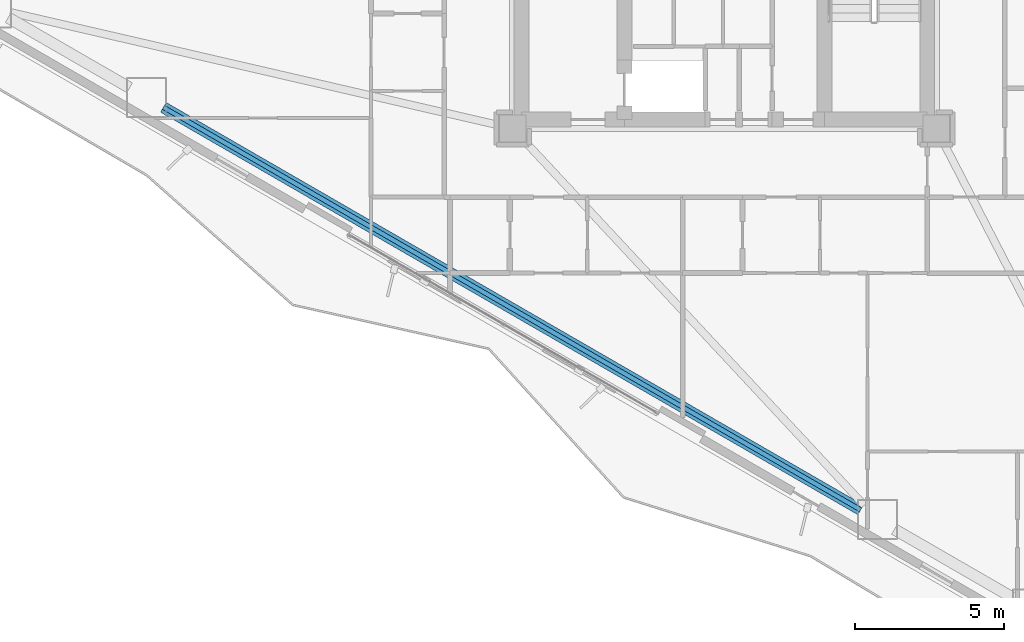
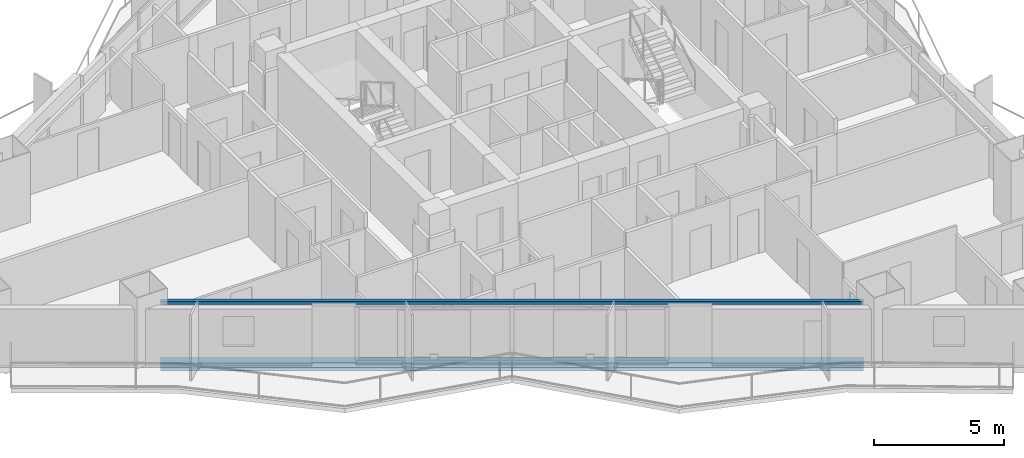
# One storey, part 3 of 18: 2 beams.
"""IFC4 building model written with IfcOpenShell, lengths in metres."""

from ifc_helpers import new_model, si_unit, direction, frame, origin, origin_2d, place, context, subcontext, project, spatial, hollow_rectangle, i_section, extrude, material, material_profile, profile_set, type_object, element, save


model = new_model("IFC4")

# Units and contexts
model_context = context("Model", 3, precision=1e-05, world=origin(), true_north=direction((0.0, 1.0)))
body_context = subcontext(model_context, "Body", "Model", "MODEL_VIEW")
ifc_project = project(units=[si_unit("LENGTHUNIT", "METRE"), si_unit("AREAUNIT", "SQUARE_METRE"), si_unit("VOLUMEUNIT", "CUBIC_METRE"), si_unit("PLANEANGLEUNIT", "RADIAN"), si_unit("MASSUNIT", "GRAM", prefix="KILO")], contexts=[model_context])

# Site, building, storey
site_placement = place(None, origin())
site = spatial("IfcSite", under=ifc_project, at=site_placement, CompositionType="ELEMENT")
building_placement = place(site_placement, origin())
building = spatial("IfcBuilding", under=site, at=building_placement, Name="Mersakhor Tower and Convention Hall", CompositionType="ELEMENT")
storey_placement = place(building_placement, frame((0.0, 0.0, 55.5)))
storey = spatial("IfcBuildingStorey", under=building, at=storey_placement, Name="L15", CompositionType="ELEMENT", Elevation=55.5)

# Beams
ifc_material_1 = material(Name="Steel S355", Category="steel")
ifc_material_profile_1 = material_profile(ifc_material_1, hollow_rectangle(XDim=0.14990234375, YDim=0.14990234375, WallThickness=0.010009765625, at=origin_2d()), Name="SHS 150x150x10")
ifc_profile_set_1 = profile_set([ifc_material_profile_1], Name="Steel S355")
beam_type_1 = type_object("IfcBeamType", Name="BM-GRT-SHS150", PredefinedType="USERDEFINED", material=ifc_profile_set_1)
beam_1_placement = place(storey_placement, frame((33.566162109375, 7.6591796875, 2.47998046875), z_axis=(-0.866025970279, 0.499999018801, 0.0), x_axis=(-0.499999018801, -0.866025970279, 0.0)))
element("IfcBeam", 1, at=beam_1_placement, inside=storey, type_object=beam_type_1, Name="L15 Facade Support Girt GRT-F3", ObjectType="GIRT", PredefinedType="USERDEFINED", context=body_context, shape_type="SweptSolid", body=[
    extrude(hollow_rectangle(XDim=0.14990234375, YDim=0.14990234375, WallThickness=0.010009765625, at=origin_2d()), origin(), (0.0, 0.0, 1.0), 26.99951171875),
])
ifc_material_2 = material(Name="Steel S355", Category="steel")
ifc_material_profile_2 = material_profile(ifc_material_2, i_section(OverallWidth=0.374755859375, OverallDepth=0.37451171875, WebThickness=0.0166015625, FlangeThickness=0.027099609375, at=origin_2d()), Name="UC 356x368x202")
ifc_profile_set_2 = profile_set([ifc_material_profile_2], Name="Steel S355")
beam_type_2 = type_object("IfcBeamType", Name="BM-SPD-UC356", PredefinedType="SPANDREL", material=ifc_profile_set_2)
beam_2_placement = place(storey_placement, frame((33.566162109375, 7.6591796875, -0.447265625), z_axis=(-0.866025970279, 0.499999018801, 0.0), x_axis=(-0.499999018801, -0.866025970279, 0.0)))
element("IfcBeam", 2, at=beam_2_placement, inside=storey, type_object=beam_type_2, Name="L15 Perimeter Spandrel Beam SPB-10", PredefinedType="SPANDREL", context=body_context, shape_type="SweptSolid", body=[
    extrude(i_section(OverallWidth=0.374755859375, OverallDepth=0.37451171875, WebThickness=0.0166015625, FlangeThickness=0.027099609375, at=origin_2d()), origin(), (0.0, 0.0, 1.0), 26.99951171875),
])

save(model, "model.ifc")
